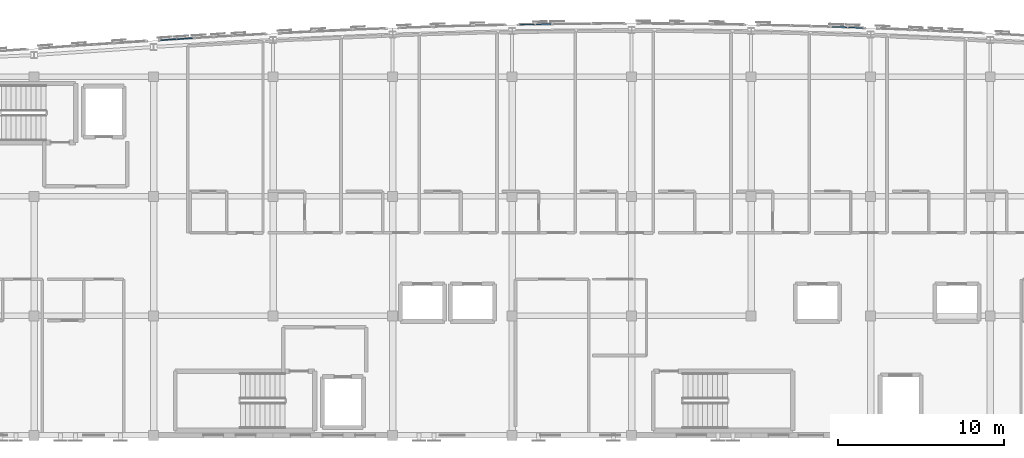
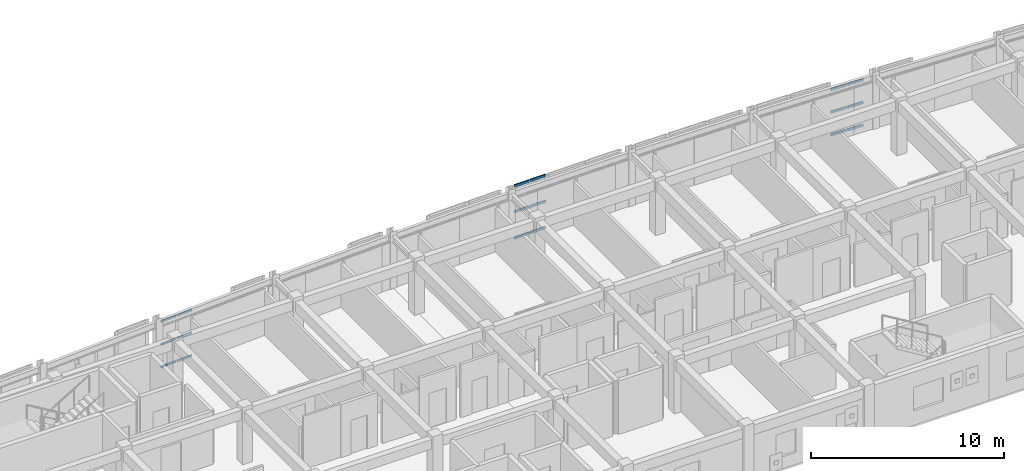
# One storey, part 28 of 45: 18 members, 3 elements without a shape of their own.
"""IFC4 building model written with IfcOpenShell, lengths in metres."""

from ifc_helpers import new_model, si_unit, direction, frame, origin, origin_2d, place, context, subcontext, project, spatial, hollow_rectangle, extrude, material, layer, layer_set, material_profile, profile_set, type_object, element, aggregate, save


model = new_model("IFC4")

# Units and contexts
model_context = context("Model", 3, precision=1e-05, world=origin(), true_north=direction((0.0, 1.0)))
body_context = subcontext(model_context, "Body", "Model", "MODEL_VIEW")
ifc_project = project(units=[si_unit("LENGTHUNIT", "METRE"), si_unit("AREAUNIT", "SQUARE_METRE"), si_unit("VOLUMEUNIT", "CUBIC_METRE"), si_unit("PLANEANGLEUNIT", "RADIAN"), si_unit("MASSUNIT", "GRAM", prefix="KILO")], contexts=[model_context])

# Site, building, storey
site_placement = place(None, origin())
site = spatial("IfcSite", under=ifc_project, at=site_placement, CompositionType="ELEMENT")
building_placement = place(site_placement, origin())
building = spatial("IfcBuilding", under=site, at=building_placement, Name="Carrowvane Square Congress Hotel", CompositionType="ELEMENT")
storey_placement = place(building_placement, frame((0.0, 0.0, 33.60009765625)))
storey = spatial("IfcBuildingStorey", under=building, at=storey_placement, Name="L08", CompositionType="ELEMENT", Elevation=33.60009765625)

# Curtain wall, members
ifc_material_1 = material(Name="Anodised aluminium", Category="aluminium")
ifc_layer_1 = layer(ifc_material_1, 0.23388671875)
ifc_layer_set_1 = layer_set([ifc_layer_1], Name="Anodised aluminium")
curtain_wall_type_1 = type_object("IfcCurtainWallType", Name="CW-SYS-7", PredefinedType="NOTDEFINED", material=ifc_layer_set_1)
curtain_wall_1_placement = place(storey_placement, origin())
curtain_wall_1 = element("IfcCurtainWall", 1, at=curtain_wall_1_placement, inside=storey, type_object=curtain_wall_type_1, Name="L08 unitised curtain wall 470", PredefinedType="NOTDEFINED")
ifc_material_2 = material(Name="Anodised aluminium", Category="aluminium")
ifc_material_profile_1 = material_profile(ifc_material_2, hollow_rectangle(XDim=0.06005859375, YDim=0.1298828125, WallThickness=0.00390625, at=origin_2d()), Name="CW-TR 60x130x4")
ifc_profile_set_1 = profile_set([ifc_material_profile_1], Name="Anodised aluminium")
member_type_1 = type_object("IfcMemberType", Name="CW-TRN-1", PredefinedType="USERDEFINED", material=ifc_profile_set_1)
member_1_placement = place(storey_placement, frame((69.619873046875, 115.6005859375, 0.02978515625), z_axis=(0.998054616523, 0.062345668959, 0.0), x_axis=(-0.062345668959, 0.998054616523, 0.0)))
member_1 = element("IfcMember", 2, at=member_1_placement, type_object=member_type_1, Name="CW-7 transom 1.1", ObjectType="TRANSOM", PredefinedType="USERDEFINED", context=body_context, shape_type="SweptSolid", body=[
    extrude(hollow_rectangle(XDim=0.06005859375, YDim=0.1298828125, WallThickness=0.00390625, at=origin_2d()), origin(), (0.0, 0.0, 1.0), 0.931884765625),
])
member_2_placement = place(storey_placement, frame((69.619873046875, 115.6005859375, 1.4677734375), z_axis=(0.998054616523, 0.062345668959, 0.0), x_axis=(-0.062345668959, 0.998054616523, 0.0)))
member_2 = element("IfcMember", 3, at=member_2_placement, type_object=member_type_1, Name="CW-7 transom 1.2", ObjectType="TRANSOM", PredefinedType="USERDEFINED", context=body_context, shape_type="SweptSolid", body=[
    extrude(hollow_rectangle(XDim=0.06005859375, YDim=0.1298828125, WallThickness=0.00390625, at=origin_2d()), origin(), (0.0, 0.0, 1.0), 0.931884765625),
])
member_3_placement = place(storey_placement, frame((69.619873046875, 115.6005859375, 2.905517578125), z_axis=(0.998054616523, 0.062345668959, 0.0), x_axis=(-0.062345668959, 0.998054616523, 0.0)))
member_3 = element("IfcMember", 4, at=member_3_placement, type_object=member_type_1, Name="CW-7 transom 1.3", ObjectType="TRANSOM", PredefinedType="USERDEFINED", context=body_context, shape_type="SweptSolid", body=[
    extrude(hollow_rectangle(XDim=0.06005859375, YDim=0.1298828125, WallThickness=0.00390625, at=origin_2d()), origin(), (0.0, 0.0, 1.0), 0.931884765625),
])
member_4_placement = place(storey_placement, frame((70.60986328125, 115.662353515625, 0.02978515625), z_axis=(0.998038282592, 0.062606600929, 0.0), x_axis=(-0.062606600929, 0.998038282592, 0.0)))
member_4 = element("IfcMember", 5, at=member_4_placement, type_object=member_type_1, Name="CW-7 transom 2.1", ObjectType="TRANSOM", PredefinedType="USERDEFINED", context=body_context, shape_type="SweptSolid", body=[
    extrude(hollow_rectangle(XDim=0.06005859375, YDim=0.1298828125, WallThickness=0.00390625, at=origin_2d()), origin(), (0.0, 0.0, 1.0), 0.931884765625),
])
member_5_placement = place(storey_placement, frame((70.60986328125, 115.662353515625, 1.4677734375), z_axis=(0.998038282592, 0.062606600929, 0.0), x_axis=(-0.062606600929, 0.998038282592, 0.0)))
member_5 = element("IfcMember", 6, at=member_5_placement, type_object=member_type_1, Name="CW-7 transom 2.2", ObjectType="TRANSOM", PredefinedType="USERDEFINED", context=body_context, shape_type="SweptSolid", body=[
    extrude(hollow_rectangle(XDim=0.06005859375, YDim=0.1298828125, WallThickness=0.00390625, at=origin_2d()), origin(), (0.0, 0.0, 1.0), 0.931884765625),
])
member_6_placement = place(storey_placement, frame((70.60986328125, 115.662353515625, 2.905517578125), z_axis=(0.998038282592, 0.062606600929, 0.0), x_axis=(-0.062606600929, 0.998038282592, 0.0)))
member_6 = element("IfcMember", 7, at=member_6_placement, type_object=member_type_1, Name="CW-7 transom 2.3", ObjectType="TRANSOM", PredefinedType="USERDEFINED", context=body_context, shape_type="SweptSolid", body=[
    extrude(hollow_rectangle(XDim=0.06005859375, YDim=0.1298828125, WallThickness=0.00390625, at=origin_2d()), origin(), (0.0, 0.0, 1.0), 0.931884765625),
])
aggregate(curtain_wall_1, [member_1, member_2, member_3, member_4, member_5, member_6])

ifc_material_3 = material(Name="Anodised aluminium", Category="aluminium")
ifc_layer_2 = layer(ifc_material_3, 0.24609375)
ifc_layer_set_2 = layer_set([ifc_layer_2], Name="Anodised aluminium")
curtain_wall_type_2 = type_object("IfcCurtainWallType", Name="CW-SYS-8", PredefinedType="NOTDEFINED", material=ifc_layer_set_2)
curtain_wall_2_placement = place(storey_placement, origin())
curtain_wall_2 = element("IfcCurtainWall", 8, at=curtain_wall_2_placement, inside=storey, type_object=curtain_wall_type_2, Name="L08 unitised curtain wall 479", PredefinedType="NOTDEFINED")
ifc_material_4 = material(Name="Anodised aluminium", Category="aluminium")
ifc_material_profile_2 = material_profile(ifc_material_4, hollow_rectangle(XDim=0.070068359375, YDim=0.14990234375, WallThickness=0.0048828125, at=origin_2d()), Name="CW-TR 70x150x5")
ifc_profile_set_2 = profile_set([ifc_material_profile_2], Name="Anodised aluminium")
member_type_2 = type_object("IfcMemberType", Name="CW-TRN-2", PredefinedType="USERDEFINED", material=ifc_profile_set_2)
member_7_placement = place(storey_placement, frame((91.24755859375, 116.537109375, 0.034912109375), z_axis=(0.999869391489, 0.016161681974, 0.0), x_axis=(-0.016161681974, 0.999869391489, 0.0)))
member_7 = element("IfcMember", 9, at=member_7_placement, type_object=member_type_2, Name="CW-8 transom 1.1", ObjectType="TRANSOM", PredefinedType="USERDEFINED", context=body_context, shape_type="SweptSolid", body=[
    extrude(hollow_rectangle(XDim=0.070068359375, YDim=0.14990234375, WallThickness=0.0048828125, at=origin_2d()), origin(), (0.0, 0.0, 1.0), 0.90625),
])
member_8_placement = place(storey_placement, frame((91.24755859375, 116.537109375, 1.679931640625), z_axis=(0.999869391489, 0.016161681974, 0.0), x_axis=(-0.016161681974, 0.999869391489, 0.0)))
member_8 = element("IfcMember", 10, at=member_8_placement, type_object=member_type_2, Name="CW-8 transom 1.2", ObjectType="TRANSOM", PredefinedType="USERDEFINED", context=body_context, shape_type="SweptSolid", body=[
    extrude(hollow_rectangle(XDim=0.070068359375, YDim=0.14990234375, WallThickness=0.0048828125, at=origin_2d()), origin(), (0.0, 0.0, 1.0), 0.90625),
])
member_9_placement = place(storey_placement, frame((91.24755859375, 116.537109375, 3.324951171875), z_axis=(0.999869391489, 0.016161681974, 0.0), x_axis=(-0.016161681974, 0.999869391489, 0.0)))
member_9 = element("IfcMember", 11, at=member_9_placement, type_object=member_type_2, Name="CW-8 transom 1.3", ObjectType="TRANSOM", PredefinedType="USERDEFINED", context=body_context, shape_type="SweptSolid", body=[
    extrude(hollow_rectangle(XDim=0.070068359375, YDim=0.14990234375, WallThickness=0.0048828125, at=origin_2d()), origin(), (0.0, 0.0, 1.0), 0.90625),
])
member_10_placement = place(storey_placement, frame((92.223876953125, 116.552734375, 0.034912109375), z_axis=(0.99986492973, 0.016435397659, 0.0), x_axis=(-0.016435397659, 0.99986492973, 0.0)))
member_10 = element("IfcMember", 12, at=member_10_placement, type_object=member_type_2, Name="CW-8 transom 2.1", ObjectType="TRANSOM", PredefinedType="USERDEFINED", context=body_context, shape_type="SweptSolid", body=[
    extrude(hollow_rectangle(XDim=0.070068359375, YDim=0.14990234375, WallThickness=0.0048828125, at=origin_2d()), origin(), (0.0, 0.0, 1.0), 0.90625),
])
member_11_placement = place(storey_placement, frame((92.223876953125, 116.552734375, 1.679931640625), z_axis=(0.99986492973, 0.016435397659, 0.0), x_axis=(-0.016435397659, 0.99986492973, 0.0)))
member_11 = element("IfcMember", 13, at=member_11_placement, type_object=member_type_2, Name="CW-8 transom 2.2", ObjectType="TRANSOM", PredefinedType="USERDEFINED", context=body_context, shape_type="SweptSolid", body=[
    extrude(hollow_rectangle(XDim=0.070068359375, YDim=0.14990234375, WallThickness=0.0048828125, at=origin_2d()), origin(), (0.0, 0.0, 1.0), 0.90625),
])
member_12_placement = place(storey_placement, frame((92.223876953125, 116.552734375, 3.324951171875), z_axis=(0.99986492973, 0.016435397659, 0.0), x_axis=(-0.016435397659, 0.99986492973, 0.0)))
member_12 = element("IfcMember", 14, at=member_12_placement, type_object=member_type_2, Name="CW-8 transom 2.3", ObjectType="TRANSOM", PredefinedType="USERDEFINED", context=body_context, shape_type="SweptSolid", body=[
    extrude(hollow_rectangle(XDim=0.070068359375, YDim=0.14990234375, WallThickness=0.0048828125, at=origin_2d()), origin(), (0.0, 0.0, 1.0), 0.90625),
])
aggregate(curtain_wall_2, [member_7, member_8, member_9, member_10, member_11, member_12])

curtain_wall_3_placement = place(storey_placement, origin())
curtain_wall_3 = element("IfcCurtainWall", 15, at=curtain_wall_3_placement, inside=storey, type_object=curtain_wall_type_2, Name="L08 unitised curtain wall 487", PredefinedType="NOTDEFINED")
member_13_placement = place(storey_placement, frame((110.070068359375, 116.404541015625, 0.034912109375), z_axis=(0.999401211416, -0.034600847094, 0.0), x_axis=(0.034600847094, 0.999401211416, 0.0)))
member_13 = element("IfcMember", 16, at=member_13_placement, type_object=member_type_2, Name="CW-8 transom 1.1", ObjectType="TRANSOM", PredefinedType="USERDEFINED", context=body_context, shape_type="SweptSolid", body=[
    extrude(hollow_rectangle(XDim=0.070068359375, YDim=0.14990234375, WallThickness=0.0048828125, at=origin_2d()), origin(), (0.0, 0.0, 1.0), 0.91015625),
])
member_14_placement = place(storey_placement, frame((110.070068359375, 116.404541015625, 1.4677734375), z_axis=(0.999401211416, -0.034600847094, 0.0), x_axis=(0.034600847094, 0.999401211416, 0.0)))
member_14 = element("IfcMember", 17, at=member_14_placement, type_object=member_type_2, Name="CW-8 transom 1.2", ObjectType="TRANSOM", PredefinedType="USERDEFINED", context=body_context, shape_type="SweptSolid", body=[
    extrude(hollow_rectangle(XDim=0.070068359375, YDim=0.14990234375, WallThickness=0.0048828125, at=origin_2d()), origin(), (0.0, 0.0, 1.0), 0.91015625),
])
member_15_placement = place(storey_placement, frame((110.070068359375, 116.404541015625, 2.900390625), z_axis=(0.999401211416, -0.034600847094, 0.0), x_axis=(0.034600847094, 0.999401211416, 0.0)))
member_15 = element("IfcMember", 18, at=member_15_placement, type_object=member_type_2, Name="CW-8 transom 1.3", ObjectType="TRANSOM", PredefinedType="USERDEFINED", context=body_context, shape_type="SweptSolid", body=[
    extrude(hollow_rectangle(XDim=0.070068359375, YDim=0.14990234375, WallThickness=0.0048828125, at=origin_2d()), origin(), (0.0, 0.0, 1.0), 0.91015625),
])
member_16_placement = place(storey_placement, frame((111.0498046875, 116.37060546875, 0.034912109375), z_axis=(0.999401211416, -0.034600847094, 0.0), x_axis=(0.034600847094, 0.999401211416, 0.0)))
member_16 = element("IfcMember", 19, at=member_16_placement, type_object=member_type_2, Name="CW-8 transom 2.1", ObjectType="TRANSOM", PredefinedType="USERDEFINED", context=body_context, shape_type="SweptSolid", body=[
    extrude(hollow_rectangle(XDim=0.070068359375, YDim=0.14990234375, WallThickness=0.0048828125, at=origin_2d()), origin(), (0.0, 0.0, 1.0), 0.91015625),
])
member_17_placement = place(storey_placement, frame((111.0498046875, 116.37060546875, 1.4677734375), z_axis=(0.999401211416, -0.034600847094, 0.0), x_axis=(0.034600847094, 0.999401211416, 0.0)))
member_17 = element("IfcMember", 20, at=member_17_placement, type_object=member_type_2, Name="CW-8 transom 2.2", ObjectType="TRANSOM", PredefinedType="USERDEFINED", context=body_context, shape_type="SweptSolid", body=[
    extrude(hollow_rectangle(XDim=0.070068359375, YDim=0.14990234375, WallThickness=0.0048828125, at=origin_2d()), origin(), (0.0, 0.0, 1.0), 0.91015625),
])
member_18_placement = place(storey_placement, frame((111.0498046875, 116.37060546875, 2.900390625), z_axis=(0.999401211416, -0.034600847094, 0.0), x_axis=(0.034600847094, 0.999401211416, 0.0)))
member_18 = element("IfcMember", 21, at=member_18_placement, type_object=member_type_2, Name="CW-8 transom 2.3", ObjectType="TRANSOM", PredefinedType="USERDEFINED", context=body_context, shape_type="SweptSolid", body=[
    extrude(hollow_rectangle(XDim=0.070068359375, YDim=0.14990234375, WallThickness=0.0048828125, at=origin_2d()), origin(), (0.0, 0.0, 1.0), 0.91015625),
])
aggregate(curtain_wall_3, [member_13, member_14, member_15, member_16, member_17, member_18])

save(model, "model.ifc")
